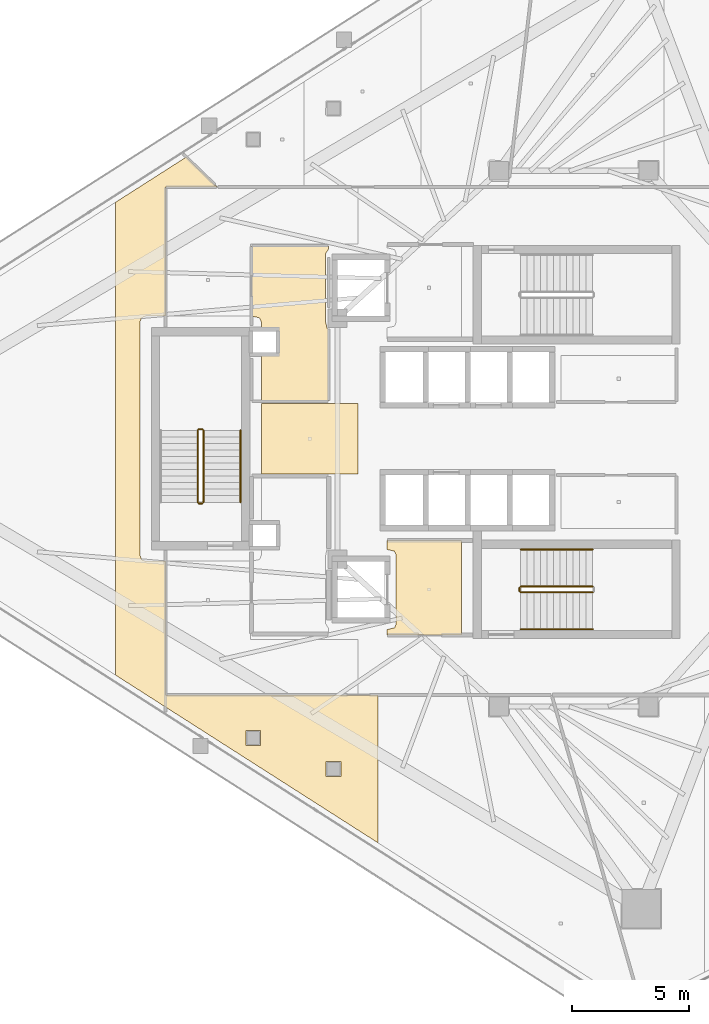
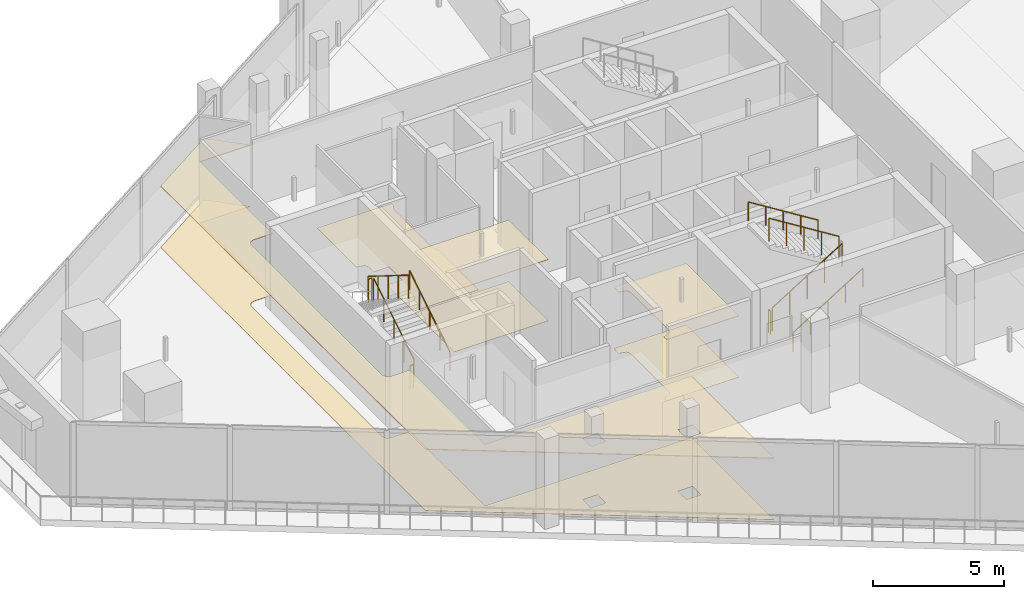
# One storey, part 27 of 31: 10 railings, 7 coverings.
"""IFC4 building model written with IfcOpenShell, lengths in metres."""

import ifcopenshell
import ifcopenshell.guid

model = None  # the IFC model being written
_history = None  # IfcOwnerHistory: only IFC2X3 demands one
_inside = {}  # id of a spatial element -> (the spatial element, [elements in it])
_under = {}  # id of a project, library or spatial element -> (it, [spatial elements below it])
_declared = {}  # id of a project -> (the project, [libraries it declares])
_typed = {}  # id of a type object -> (the type object, [elements of that type])
_made_of = {}  # id of a material, layer set ... -> (it, [elements and type objects made of it])


def new_model(schema):
    """Start an empty IFC model of exactly this schema.

    Asked for "IFC4X3", IfcOpenShell would pick the latest addendum, in which some entities
    have other attributes; the version numbers below select the first issue.
    IFC2X3 requires an IfcOwnerHistory on every rooted entity: one is made here for all.
    """
    global model, _history
    if schema == "IFC4X3":
        model = ifcopenshell.file(schema_version=(4, 3, 0, 0))
    else:
        model = ifcopenshell.file(schema=schema)
    _inside.clear()
    _under.clear()
    _declared.clear()
    _typed.clear()
    _made_of.clear()
    _history = None
    if model.schema == "IFC2X3":
        org = make("IfcOrganization", Name="unknown")
        user = make(
            "IfcPersonAndOrganization",
            ThePerson=make("IfcPerson", FamilyName="unknown"),
            TheOrganization=org,
        )
        app = make(
            "IfcApplication",
            ApplicationDeveloper=org,
            Version="unknown",
            ApplicationFullName="unknown",
            ApplicationIdentifier="unknown",
        )
        _history = make(
            "IfcOwnerHistory",
            OwningUser=user,
            OwningApplication=app,
            ChangeAction="ADDED",
            CreationDate=0,
        )
    return model


def make(cls, **values):
    """One entity of the class cls with the attributes given. An attribute that is None is left unset."""
    return model.create_entity(
        cls, **{name: value for name, value in values.items() if value is not None}
    )


def rooted(cls, **values):
    """An entity with a GlobalId (a new one), such as an element, a storey or a relation."""
    return make(cls, GlobalId=ifcopenshell.guid.new(), OwnerHistory=_history, **values)


def si_unit(unit_type, name, prefix=None):
    """IfcSIUnit, for example si_unit("LENGTHUNIT", "METRE", prefix="MILLI")."""
    return make("IfcSIUnit", UnitType=unit_type, Prefix=prefix, Name=name)


def assignment(units):
    """IfcUnitAssignment: the units of a project."""
    return None if units is None else make("IfcUnitAssignment", Units=units)


def point(xyz):
    """IfcCartesianPoint."""
    return None if xyz is None else make("IfcCartesianPoint", Coordinates=xyz)


def direction(xyz):
    """IfcDirection."""
    return None if xyz is None else make("IfcDirection", DirectionRatios=xyz)


def frame(location, z_axis=None, x_axis=None):
    """IfcAxis2Placement3D, a coordinate frame: its origin and axes. An axis left out is left unset."""
    return make(
        "IfcAxis2Placement3D",
        Location=point(location),
        Axis=direction(z_axis),
        RefDirection=direction(x_axis),
    )


def frame_2d(location, x_axis=None):
    """IfcAxis2Placement2D, a coordinate frame in the plane: its origin and x axis."""
    return make(
        "IfcAxis2Placement2D", Location=point(location), RefDirection=direction(x_axis)
    )


def origin():
    """The frame at (0, 0, 0) with its axes left unset."""
    return frame((0.0, 0.0, 0.0))


def origin_2d():
    """The frame at (0, 0) in the plane with its x axis left unset."""
    return frame_2d((0.0, 0.0))


def place(relative_to, where):
    """IfcLocalPlacement: puts the frame where relative to a parent placement (None: the world)."""
    return make(
        "IfcLocalPlacement", PlacementRelTo=relative_to, RelativePlacement=where
    )


def context(
    kind, dimensions, precision=None, world=None, true_north=None, identifier=None
):
    """IfcGeometricRepresentationContext, for example the 3D "Model" context."""
    return make(
        "IfcGeometricRepresentationContext",
        ContextIdentifier=identifier,
        ContextType=kind,
        CoordinateSpaceDimension=dimensions,
        Precision=precision,
        WorldCoordinateSystem=world,
        TrueNorth=true_north,
    )


def subcontext(parent, identifier, kind, view, scale=None):
    """IfcGeometricRepresentationSubContext, for example "Body" below "Model"."""
    return make(
        "IfcGeometricRepresentationSubContext",
        ContextIdentifier=identifier,
        ContextType=kind,
        ParentContext=parent,
        TargetScale=scale,
        TargetView=view,
    )


def project(units=None, contexts=None):
    """IfcProject with its units and contexts."""
    return rooted(
        "IfcProject",
        Name="project",
        RepresentationContexts=contexts,
        UnitsInContext=assignment(units),
    )


def spatial(cls, under=None, at=None, **own):
    """A site, building, storey or space (cls), placed at a placement, below another one or the project."""
    s = rooted(cls, ObjectPlacement=at, **own)
    if under is not None:
        _under.setdefault(under.id(), (under, []))[1].append(s)
    return s


def polyline(points):
    """IfcPolyline through the points."""
    return make("IfcPolyline", Points=[point(p) for p in points])


def profile(cls, at=None, kind="AREA", **sizes):
    """A parametric profile (cls). Its sizes go by their IFC names, for example OverallWidth=200.0."""
    return make(cls, ProfileType=kind, Position=at, **sizes)


def circle(**sizes):
    """IfcCircleProfileDef."""
    return profile("IfcCircleProfileDef", **sizes)


def outline(outer, holes=None, kind="AREA"):
    """IfcArbitraryClosedProfileDef: a profile drawn as a closed curve; with holes, ...WithVoids."""
    if holes is None:
        return make("IfcArbitraryClosedProfileDef", ProfileType=kind, OuterCurve=outer)
    return make(
        "IfcArbitraryProfileDefWithVoids",
        ProfileType=kind,
        OuterCurve=outer,
        InnerCurves=holes,
    )


def extrude(swept, where, along, depth):
    """IfcExtrudedAreaSolid: the profile swept, set in the frame where, extruded along a direction by depth."""
    return make(
        "IfcExtrudedAreaSolid",
        SweptArea=swept,
        Position=where,
        ExtrudedDirection=direction(along),
        Depth=depth,
    )


def shape(context_of_items, identifier, shape_type, items):
    """IfcShapeRepresentation: the items that make up one representation, for example the "Body"."""
    return make(
        "IfcShapeRepresentation",
        ContextOfItems=context_of_items,
        RepresentationIdentifier=identifier,
        RepresentationType=shape_type,
        Items=items,
    )


def material(Name=None, Category=None):
    """IfcMaterial."""
    return make("IfcMaterial", Name=Name, Category=Category)


def layer(
    of_material, thickness, ventilated=None, Name=None, Category=None, Priority=None
):
    """IfcMaterialLayer: one layer of a wall or slab, of a material (None: an air gap)."""
    return make(
        "IfcMaterialLayer",
        Material=of_material,
        LayerThickness=thickness,
        IsVentilated=ventilated,
        Name=Name,
        Category=Category,
        Priority=Priority,
    )


def layer_set(layers, Name=None):
    """IfcMaterialLayerSet."""
    return make("IfcMaterialLayerSet", MaterialLayers=layers, LayerSetName=Name)


def made_of(thing, what):
    """Note that an element or type object is made of a material, layer set ...; save() writes the relation."""
    if what is not None:
        _made_of.setdefault(what.id(), (what, []))[1].append(thing)
    return thing


def type_object(cls, material=None, **own):
    """A type object (cls), such as IfcWallType, which elements share."""
    return made_of(rooted(cls, **own), material)


def element(
    cls,
    number,
    at=None,
    inside=None,
    cuts=None,
    type_object=None,
    material=None,
    context=None,
    identifier="Body",
    shape_type=None,
    held_by="IfcProductDefinitionShape",
    body=None,
    shapes=None,
    **own,
):
    """One element of the class cls, such as IfcWall. Its Tag is "e" and its number.

    at: its placement. inside: the storey or other place that contains it. cuts: it is an
    opening in that element (IfcRelVoidsElement). A single representation is given by context,
    identifier, shape_type and body (its items); several are given by shapes. held_by: the class
    of the entity that holds the representations. save() writes the other relations.
    """
    e = rooted(cls, Tag="e%d" % number, ObjectPlacement=at, **own)
    if body is not None:
        shapes = [shape(context, identifier, shape_type, body)]
    if shapes is not None:
        e.Representation = make(held_by, Representations=shapes)
    if inside is not None:
        _inside.setdefault(inside.id(), (inside, []))[1].append(e)
    if cuts is not None:
        rooted(
            "IfcRelVoidsElement", RelatingBuildingElement=cuts, RelatedOpeningElement=e
        )
    if type_object is not None:
        _typed.setdefault(type_object.id(), (type_object, []))[1].append(e)
    return made_of(e, material)


def aggregate(whole, parts):
    """IfcRelAggregates: a whole, such as a stair, and the parts it consists of."""
    return rooted("IfcRelAggregates", RelatingObject=whole, RelatedObjects=parts)


def save(model, path):
    """Write the relations noted so far, then the file.

    IfcRelAggregates (storeys below a building ...), IfcRelContainedInSpatialStructure (elements
    in a storey), IfcRelDefinesByType, IfcRelAssociatesMaterial and IfcRelDeclares: one each for
    every whole, place, type object, material and project.
    """
    for whole, parts in _under.values():
        aggregate(whole, parts)
    for where, things in _inside.values():
        rooted(
            "IfcRelContainedInSpatialStructure",
            RelatedElements=things,
            RelatingStructure=where,
        )
    for kind, things in _typed.values():
        rooted("IfcRelDefinesByType", RelatedObjects=things, RelatingType=kind)
    for what, things in _made_of.values():
        rooted("IfcRelAssociatesMaterial", RelatedObjects=things, RelatingMaterial=what)
    for by, libraries in _declared.values():
        rooted("IfcRelDeclares", RelatingContext=by, RelatedDefinitions=libraries)
    model.write(path)


model = new_model("IFC4")

# Units and contexts
model_context = context("Model", 3, precision=1e-05, world=origin(), true_north=direction((0.0, 1.0)))
body_context = subcontext(model_context, "Body", "Model", "MODEL_VIEW")
ifc_project = project(units=[si_unit("LENGTHUNIT", "METRE"), si_unit("AREAUNIT", "SQUARE_METRE"), si_unit("VOLUMEUNIT", "CUBIC_METRE"), si_unit("PLANEANGLEUNIT", "RADIAN"), si_unit("MASSUNIT", "GRAM", prefix="KILO")], contexts=[model_context])

# Site, building, storey
site_placement = place(None, origin())
site = spatial("IfcSite", under=ifc_project, at=site_placement, CompositionType="ELEMENT")
building_placement = place(site_placement, origin())
building = spatial("IfcBuilding", under=site, at=building_placement, Name="Qorvath Tower", CompositionType="ELEMENT")
storey_placement = place(building_placement, frame((0.0, 0.0, 259.800048828125)))
storey = spatial("IfcBuildingStorey", under=building, at=storey_placement, Name="L60", CompositionType="ELEMENT", Elevation=259.800048828125)

# Coverings
ifc_material_1 = material(Name="Acoustic mineral fibre ceiling tile", Category="gypsum")
ifc_layer_1 = layer(ifc_material_1, 0.030029296875)
ifc_layer_set_1 = layer_set([ifc_layer_1], Name="COV-CEIL")
covering_type_1 = type_object("IfcCoveringType", Name="COV-CEIL", PredefinedType="CEILING", material=ifc_layer_set_1)
covering_1_placement = place(storey_placement, frame((0.0, 0.0, 2.849853515625)))
element("IfcCovering", 1, at=covering_1_placement, inside=storey, type_object=covering_type_1, Name="L60 Suspended Acoustic Ceiling 002", PredefinedType="CEILING", context=body_context, shape_type="SweptSolid", body=[
    extrude(outline(polyline([(-25.18994140625, -8.39501953125), (-25.18994140625, -4.35498046875), (-28.375, -4.35498046875), (-28.375, -4.739990234375), (-28.063232421875, -4.813232421875), (-27.989990234375, -4.989990234375), (-27.989990234375, -7.909912109375), (-28.063232421875, -8.086669921875), (-28.375, -8.159912109375), (-28.375, -8.39501953125), (-25.18994140625, -8.39501953125)])), origin(), (0.0, 0.0, 1.0), 0.030029296875),
])
covering_2_placement = place(storey_placement, frame((0.0, 0.0, 2.849853515625)))
element("IfcCovering", 2, at=covering_2_placement, inside=storey, type_object=covering_type_1, Name="L60 Suspended Acoustic Ceiling 009", PredefinedType="CEILING", context=body_context, shape_type="SweptSolid", body=[
    extrude(outline(polyline([(-29.614990234375, -1.514892578125), (-29.614990234375, 1.514892578125), (-33.760009765625, 1.514892578125), (-33.760009765625, -1.514892578125), (-29.614990234375, -1.514892578125)])), origin(), (0.0, 0.0, 1.0), 0.030029296875),
])
covering_3_placement = place(storey_placement, frame((0.0, 0.0, 2.849853515625)))
element("IfcCovering", 3, at=covering_3_placement, inside=storey, type_object=covering_type_1, Name="L60 Suspended Acoustic Ceiling 011", PredefinedType="CEILING", context=body_context, shape_type="SweptSolid", body=[
    extrude(outline(polyline([(-39.9921875, 10.10791015625), (-39.9921875, -10.10791015625), (-28.768310546875, -17.281494140625), (-28.768310546875, -10.96240234375), (-37.861572265625, -10.96142578125), (-37.863037109375, -5.239990234375), (-38.699951171875, -5.239990234375), (-38.876708984375, -5.166748046875), (-38.949951171875, -4.989990234375), (-38.949951171875, 4.989990234375), (-38.876708984375, 5.166748046875), (-38.699951171875, 5.239990234375), (-37.863037109375, 5.239990234375), (-37.861572265625, 10.761474609375), (-35.652587890625, 10.762939453125), (-36.97265625, 12.037841796875), (-39.9921875, 10.10791015625)]), holes=[polyline([(-30.99462890625, -14.441650390625), (-30.99462890625, -13.806884765625), (-30.35986328125, -13.806884765625), (-30.35986328125, -14.441650390625), (-30.99462890625, -14.441650390625)]), polyline([(-34.421630859375, -13.10986328125), (-34.421630859375, -12.47509765625), (-33.786865234375, -12.47509765625), (-33.786865234375, -13.10986328125), (-34.421630859375, -13.10986328125)])]), origin(), (0.0, 0.0, 1.0), 0.030029296875),
])
ifc_material_2 = material(Name="Low-VOC modular carpet tile", Category="textile")
ifc_layer_2 = layer(ifc_material_2, 0.014892578125)
ifc_layer_set_2 = layer_set([ifc_layer_2], Name="COV-FLOOR-CPT")
covering_type_2 = type_object("IfcCoveringType", Name="COV-FLOOR-CPT", PredefinedType="FLOORING", material=ifc_layer_set_2)
covering_4_placement = place(storey_placement, origin())
element("IfcCovering", 4, at=covering_4_placement, inside=storey, type_object=covering_type_2, Name="L60 Floor Finish 011", PredefinedType="FLOORING", context=body_context, shape_type="SweptSolid", body=[
    extrude(outline(polyline([(-39.9921875, 10.10791015625), (-39.9921875, -10.10791015625), (-28.768310546875, -17.281494140625), (-28.768310546875, -10.96240234375), (-37.861572265625, -10.96142578125), (-37.863037109375, -5.239990234375), (-38.699951171875, -5.239990234375), (-38.876708984375, -5.166748046875), (-38.949951171875, -4.989990234375), (-38.949951171875, 4.989990234375), (-38.876708984375, 5.166748046875), (-38.699951171875, 5.239990234375), (-37.863037109375, 5.239990234375), (-37.861572265625, 10.761474609375), (-35.652587890625, 10.762939453125), (-36.97265625, 12.037841796875), (-39.9921875, 10.10791015625)]), holes=[polyline([(-30.99462890625, -14.441650390625), (-30.99462890625, -13.806884765625), (-30.35986328125, -13.806884765625), (-30.35986328125, -14.441650390625), (-30.99462890625, -14.441650390625)]), polyline([(-34.421630859375, -13.10986328125), (-34.421630859375, -12.47509765625), (-33.786865234375, -12.47509765625), (-33.786865234375, -13.10986328125), (-34.421630859375, -13.10986328125)])]), origin(), (0.0, 0.0, 1.0), 0.014892578125),
])
ifc_material_3 = material(Name="Polished epoxy terrazzo flooring", Category="concrete")
ifc_layer_3 = layer(ifc_material_3, 0.02001953125)
ifc_layer_set_3 = layer_set([ifc_layer_3], Name="COV-FLOOR-TRZ")
covering_type_3 = type_object("IfcCoveringType", Name="COV-FLOOR-TRZ", PredefinedType="FLOORING", material=ifc_layer_set_3)
covering_5_placement = place(storey_placement, origin())
element("IfcCovering", 5, at=covering_5_placement, inside=storey, type_object=covering_type_3, Name="L60 Floor Finish 002", PredefinedType="FLOORING", context=body_context, shape_type="SweptSolid", body=[
    extrude(outline(polyline([(-25.18994140625, -8.39501953125), (-25.18994140625, -4.35498046875), (-28.375, -4.35498046875), (-28.375, -4.739990234375), (-28.063232421875, -4.813232421875), (-27.989990234375, -4.989990234375), (-27.989990234375, -7.909912109375), (-28.063232421875, -8.086669921875), (-28.375, -8.159912109375), (-28.375, -8.39501953125), (-25.18994140625, -8.39501953125)])), origin(), (0.0, 0.0, 1.0), 0.014892578125),
])
covering_6_placement = place(storey_placement, origin())
element("IfcCovering", 6, at=covering_6_placement, inside=storey, type_object=covering_type_3, Name="L60 Floor Finish 005", PredefinedType="FLOORING", context=body_context, shape_type="SweptSolid", body=[
    extrude(outline(polyline([(-30.885009765625, 8.2451171875), (-34.175048828125, 8.2451171875), (-34.175048828125, 5.239990234375), (-33.833251953125, 5.166748046875), (-33.760009765625, 4.989990234375), (-33.760009765625, 4.633056640625), (-33.0869140625, 4.6279296875), (-33.08837890625, 3.638427734375), (-33.760009765625, 3.636962890625), (-33.760009765625, 1.60498046875), (-30.885009765625, 1.60498046875), (-30.885009765625, 4.68994140625), (-30.9423828125, 4.70751953125), (-31.010009765625, 4.989990234375), (-31.010009765625, 7.909912109375), (-30.885009765625, 8.108154296875), (-30.885009765625, 8.2451171875)])), origin(), (0.0, 0.0, 1.0), 0.014892578125),
])
covering_7_placement = place(storey_placement, origin())
element("IfcCovering", 7, at=covering_7_placement, inside=storey, type_object=covering_type_3, Name="L60 Floor Finish 009", PredefinedType="FLOORING", context=body_context, shape_type="SweptSolid", body=[
    extrude(outline(polyline([(-29.614990234375, -1.514892578125), (-29.614990234375, 1.514892578125), (-33.760009765625, 1.514892578125), (-33.760009765625, -1.514892578125), (-29.614990234375, -1.514892578125)])), origin(), (0.0, 0.0, 1.0), 0.014892578125),
])

# Railings
ifc_material_4 = material(Name="Painted galvanised steel", Category="steel")
railing_type_1 = type_object("IfcRailingType", Name="RL-STR-GRD", PredefinedType="GUARDRAIL", material=ifc_material_4)
railing_1_placement = place(storey_placement, frame((-22.669921875, -6.570068359375, 0.175048828125)))
element("IfcRailing", 8, at=railing_1_placement, inside=storey, type_object=railing_type_1, Name="L60 TS2 stair guard 1", PredefinedType="GUARDRAIL", context=body_context, shape_type="SweptSolid", body=[
    extrude(circle(Radius=0.02392578125, at=origin_2d()), frame((0.0, 0.0, 1.076171875), z_axis=(0.848009633417, 0.0, 0.529980812513), x_axis=(0.0, 1.0, 0.0)), (0.0, 0.0, 1.0), 3.6318359375),
    extrude(circle(Radius=0.02099609375, at=origin_2d()), origin(), (0.0, 0.0, 1.0), 1.052001953125),
    extrude(circle(Radius=0.02099609375, at=origin_2d()), frame((0.77001953125, 0.0, 0.481201171875)), (0.0, 0.0, 1.0), 1.052001953125),
    extrude(circle(Radius=0.02099609375, at=origin_2d()), frame((1.5400390625, 0.0, 0.96240234375)), (0.0, 0.0, 1.0), 1.052001953125),
    extrude(circle(Radius=0.02099609375, at=origin_2d()), frame((2.309814453125, 0.0, 1.443603515625)), (0.0, 0.0, 1.0), 1.052001953125),
    extrude(circle(Radius=0.02099609375, at=origin_2d()), frame((3.079833984375, 0.0, 1.9248046875)), (0.0, 0.0, 1.0), 1.052001953125),
])
railing_2_placement = place(storey_placement, frame((-19.590087890625, -6.320068359375, 2.27490234375)))
element("IfcRailing", 9, at=railing_2_placement, inside=storey, type_object=railing_type_1, Name="L60 TS2 stair guard 3", PredefinedType="GUARDRAIL", context=body_context, shape_type="SweptSolid", body=[
    extrude(circle(Radius=0.02392578125, at=origin_2d()), frame((0.0, 0.0, 1.076171875), z_axis=(-0.847979421464, 0.0, 0.530029150871), x_axis=(0.0, -1.0, 0.0)), (0.0, 0.0, 1.0), 3.632080078125),
    extrude(circle(Radius=0.02099609375, at=origin_2d()), origin(), (0.0, 0.0, 1.0), 1.052001953125),
    extrude(circle(Radius=0.02099609375, at=origin_2d()), frame((-0.77001953125, 0.0, 0.481201171875)), (0.0, 0.0, 1.0), 1.052001953125),
    extrude(circle(Radius=0.02099609375, at=origin_2d()), frame((-1.5400390625, 0.0, 0.96240234375)), (0.0, 0.0, 1.0), 1.052001953125),
    extrude(circle(Radius=0.02099609375, at=origin_2d()), frame((-2.309814453125, 0.0, 1.44384765625)), (0.0, 0.0, 1.0), 1.052001953125),
    extrude(circle(Radius=0.02099609375, at=origin_2d()), frame((-3.079833984375, 0.0, 1.925048828125)), (0.0, 0.0, 1.0), 1.052001953125),
])
railing_3_placement = place(storey_placement, frame((-22.719970703125, -6.52001953125, 0.0)))
element("IfcRailing", 10, at=railing_3_placement, inside=storey, type_object=railing_type_1, Name="L60 TS2 stair guard 4", PredefinedType="GUARDRAIL", context=body_context, shape_type="SweptSolid", body=[
    extrude(circle(Radius=0.02392578125, at=origin_2d()), frame((0.0, 0.0, 1.076171875), z_axis=(0.0, 1.0, 0.0), x_axis=(-1.0, 0.0, 0.0)), (0.0, 0.0, 1.0), 0.14990234375),
    extrude(circle(Radius=0.02099609375, at=origin_2d()), origin(), (0.0, 0.0, 1.0), 1.052001953125),
    extrude(circle(Radius=0.02099609375, at=origin_2d()), frame((0.0, 0.14990234375, 0.0)), (0.0, 0.0, 1.0), 1.052001953125),
])
railing_4_placement = place(storey_placement, frame((-36.22998046875, -2.719970703125, 0.175048828125)))
element("IfcRailing", 11, at=railing_4_placement, inside=storey, type_object=railing_type_1, Name="L60 TS3 stair guard 1", PredefinedType="GUARDRAIL", context=body_context, shape_type="SweptSolid", body=[
    extrude(circle(Radius=0.02392578125, at=origin_2d()), frame((0.0, 0.0, 1.076171875), z_axis=(0.0, 0.848028513186, 0.529950602248), x_axis=(-1.0, 0.0, 0.0)), (0.0, 0.0, 1.0), 3.632080078125),
    extrude(circle(Radius=0.02099609375, at=origin_2d()), origin(), (0.0, 0.0, 1.0), 1.052001953125),
    extrude(circle(Radius=0.02099609375, at=origin_2d()), frame((0.0, 0.77001953125, 0.481201171875)), (0.0, 0.0, 1.0), 1.052001953125),
    extrude(circle(Radius=0.02099609375, at=origin_2d()), frame((0.0, 1.5400390625, 0.96240234375)), (0.0, 0.0, 1.0), 1.052001953125),
    extrude(circle(Radius=0.02099609375, at=origin_2d()), frame((0.0, 2.31005859375, 1.443603515625)), (0.0, 0.0, 1.0), 1.052001953125),
    extrude(circle(Radius=0.02099609375, at=origin_2d()), frame((0.0, 3.080078125, 1.9248046875)), (0.0, 0.0, 1.0), 1.052001953125),
])
railing_5_placement = place(storey_placement, frame((-36.280029296875, 0.409912109375, 2.099853515625)))
element("IfcRailing", 12, at=railing_5_placement, inside=storey, type_object=railing_type_1, Name="L60 TS3 stair guard 2", PredefinedType="GUARDRAIL", context=body_context, shape_type="SweptSolid", body=[
    extrude(circle(Radius=0.02392578125, at=origin_2d()), frame((0.0, 0.0, 1.076171875), z_axis=(-1.0, 0.0, 0.0), x_axis=(0.0, -1.0, 0.0)), (0.0, 0.0, 1.0), 0.14990234375),
    extrude(circle(Radius=0.02099609375, at=origin_2d()), origin(), (0.0, 0.0, 1.0), 1.052001953125),
    extrude(circle(Radius=0.02099609375, at=origin_2d()), frame((-0.14990234375, 0.0, 0.0)), (0.0, 0.0, 1.0), 1.052001953125),
])
railing_6_placement = place(storey_placement, frame((-36.47998046875, 0.360107421875, 2.27490234375)))
element("IfcRailing", 13, at=railing_6_placement, inside=storey, type_object=railing_type_1, Name="L60 TS3 stair guard 3", PredefinedType="GUARDRAIL", context=body_context, shape_type="SweptSolid", body=[
    extrude(circle(Radius=0.02392578125, at=origin_2d()), frame((0.0, 0.0, 1.076171875), z_axis=(0.0, -0.847998304005, 0.529998940003), x_axis=(1.0, 0.0, 0.0)), (0.0, 0.0, 1.0), 3.632080078125),
    extrude(circle(Radius=0.02099609375, at=origin_2d()), origin(), (0.0, 0.0, 1.0), 1.052001953125),
    extrude(circle(Radius=0.02099609375, at=origin_2d()), frame((0.0, -0.77001953125, 0.481201171875)), (0.0, 0.0, 1.0), 1.052001953125),
    extrude(circle(Radius=0.02099609375, at=origin_2d()), frame((0.0, -1.5400390625, 0.96240234375)), (0.0, 0.0, 1.0), 1.052001953125),
    extrude(circle(Radius=0.02099609375, at=origin_2d()), frame((0.0, -2.31005859375, 1.44384765625)), (0.0, 0.0, 1.0), 1.052001953125),
    extrude(circle(Radius=0.02099609375, at=origin_2d()), frame((0.0, -3.080078125, 1.925048828125)), (0.0, 0.0, 1.0), 1.052001953125),
])
railing_7_placement = place(storey_placement, frame((-36.280029296875, -2.77001953125, 0.0)))
element("IfcRailing", 14, at=railing_7_placement, inside=storey, type_object=railing_type_1, Name="L60 TS3 stair guard 4", PredefinedType="GUARDRAIL", context=body_context, shape_type="SweptSolid", body=[
    extrude(circle(Radius=0.02392578125, at=origin_2d()), frame((0.0, 0.0, 1.076171875), z_axis=(-1.0, 0.0, 0.0), x_axis=(0.0, -1.0, 0.0)), (0.0, 0.0, 1.0), 0.14990234375),
    extrude(circle(Radius=0.02099609375, at=origin_2d()), origin(), (0.0, 0.0, 1.0), 1.052001953125),
    extrude(circle(Radius=0.02099609375, at=origin_2d()), frame((-0.14990234375, 0.0, 0.0)), (0.0, 0.0, 1.0), 1.052001953125),
])
ifc_material_5 = material(Name="Brushed stainless steel AISI 304", Category="steel")
railing_type_2 = type_object("IfcRailingType", Name="RL-STR-HND", PredefinedType="HANDRAIL", material=ifc_material_5)
railing_8_placement = place(storey_placement, frame((-22.669921875, -8.14990234375, 0.175048828125)))
element("IfcRailing", 15, at=railing_8_placement, inside=storey, type_object=railing_type_2, Name="L60 TS2 stair handrail 1", PredefinedType="HANDRAIL", context=body_context, shape_type="SweptSolid", body=[
    extrude(circle(Radius=0.02392578125, at=origin_2d()), frame((0.0, 0.0, 0.8759765625), z_axis=(0.848009633417, 0.0, 0.529980812513), x_axis=(0.0, 1.0, 0.0)), (0.0, 0.0, 1.0), 3.6318359375),
    extrude(circle(Radius=0.02099609375, at=origin_2d()), origin(), (0.0, 0.0, 1.0), 0.851806640625),
    extrude(circle(Radius=0.02099609375, at=origin_2d()), frame((0.77001953125, 0.0, 0.481201171875)), (0.0, 0.0, 1.0), 0.851806640625),
    extrude(circle(Radius=0.02099609375, at=origin_2d()), frame((1.5400390625, 0.0, 0.96240234375)), (0.0, 0.0, 1.0), 0.851806640625),
    extrude(circle(Radius=0.02099609375, at=origin_2d()), frame((2.309814453125, 0.0, 1.443603515625)), (0.0, 0.0, 1.0), 0.851806640625),
    extrude(circle(Radius=0.02099609375, at=origin_2d()), frame((3.079833984375, 0.0, 1.9248046875)), (0.0, 0.0, 1.0), 0.851806640625),
])
railing_9_placement = place(storey_placement, frame((-19.590087890625, -4.739990234375, 2.27490234375)))
element("IfcRailing", 16, at=railing_9_placement, inside=storey, type_object=railing_type_2, Name="L60 TS2 stair handrail 2", PredefinedType="HANDRAIL", context=body_context, shape_type="SweptSolid", body=[
    extrude(circle(Radius=0.02392578125, at=origin_2d()), frame((0.0, 0.0, 0.8759765625), z_axis=(-0.847979421464, 0.0, 0.530029150871), x_axis=(0.0, -1.0, 0.0)), (0.0, 0.0, 1.0), 3.632080078125),
    extrude(circle(Radius=0.02099609375, at=origin_2d()), origin(), (0.0, 0.0, 1.0), 0.851806640625),
    extrude(circle(Radius=0.02099609375, at=origin_2d()), frame((-0.77001953125, 0.0, 0.481201171875)), (0.0, 0.0, 1.0), 0.851806640625),
    extrude(circle(Radius=0.02099609375, at=origin_2d()), frame((-1.5400390625, 0.0, 0.96240234375)), (0.0, 0.0, 1.0), 0.851806640625),
    extrude(circle(Radius=0.02099609375, at=origin_2d()), frame((-2.309814453125, 0.0, 1.44384765625)), (0.0, 0.0, 1.0), 0.851806640625),
    extrude(circle(Radius=0.02099609375, at=origin_2d()), frame((-3.079833984375, 0.0, 1.925048828125)), (0.0, 0.0, 1.0), 0.851806640625),
])
railing_10_placement = place(storey_placement, frame((-34.64990234375, -2.719970703125, 0.175048828125)))
element("IfcRailing", 17, at=railing_10_placement, inside=storey, type_object=railing_type_2, Name="L60 TS3 stair handrail 1", PredefinedType="HANDRAIL", context=body_context, shape_type="SweptSolid", body=[
    extrude(circle(Radius=0.02392578125, at=origin_2d()), frame((0.0, 0.0, 0.8759765625), z_axis=(0.0, 0.848028513186, 0.529950602248), x_axis=(-1.0, 0.0, 0.0)), (0.0, 0.0, 1.0), 3.632080078125),
    extrude(circle(Radius=0.02099609375, at=origin_2d()), origin(), (0.0, 0.0, 1.0), 0.851806640625),
    extrude(circle(Radius=0.02099609375, at=origin_2d()), frame((0.0, 0.77001953125, 0.481201171875)), (0.0, 0.0, 1.0), 0.851806640625),
    extrude(circle(Radius=0.02099609375, at=origin_2d()), frame((0.0, 1.5400390625, 0.96240234375)), (0.0, 0.0, 1.0), 0.851806640625),
    extrude(circle(Radius=0.02099609375, at=origin_2d()), frame((0.0, 2.31005859375, 1.443603515625)), (0.0, 0.0, 1.0), 0.851806640625),
    extrude(circle(Radius=0.02099609375, at=origin_2d()), frame((0.0, 3.080078125, 1.9248046875)), (0.0, 0.0, 1.0), 0.851806640625),
])

save(model, "model.ifc")
